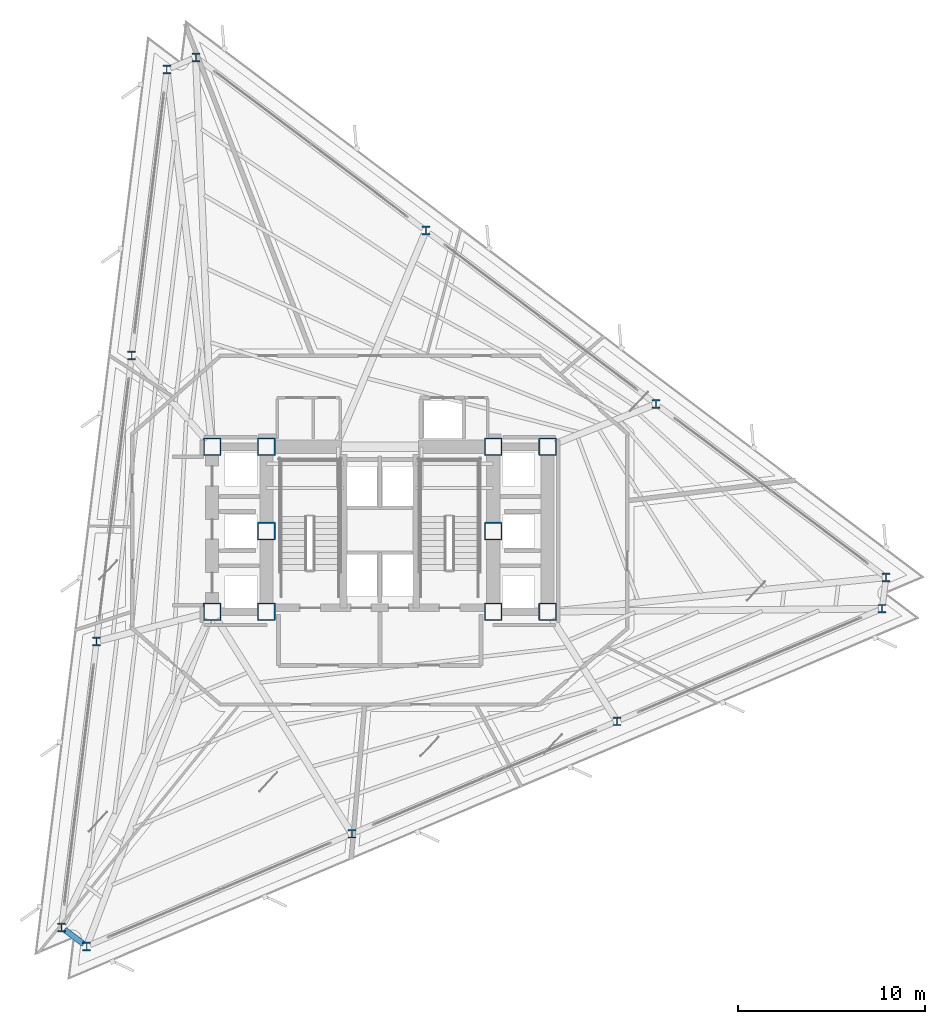
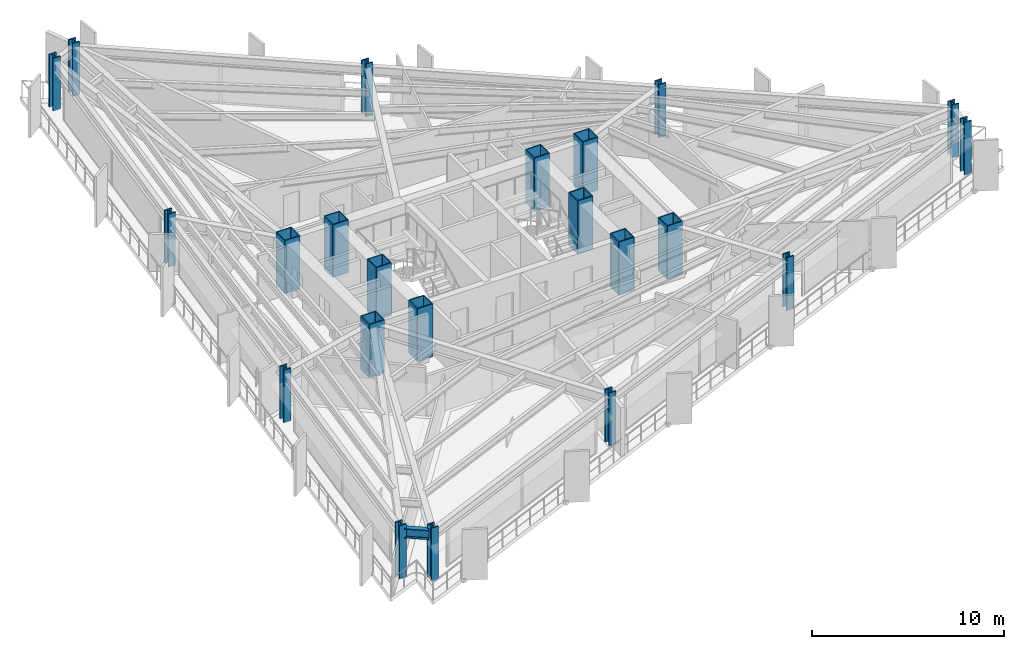
# One storey, part 1 of 13: 22 columns, 1 beam.
"""IFC4 building model written with IfcOpenShell, lengths in metres."""

from ifc_helpers import new_model, si_unit, direction, frame, origin, origin_2d, place, context, subcontext, project, spatial, hollow_rectangle, i_section, extrude, material, material_profile, profile_set, type_object, element, save


model = new_model("IFC4")

# Units and contexts
model_context = context("Model", 3, precision=1e-05, world=origin(), true_north=direction((0.0, 1.0)))
body_context = subcontext(model_context, "Body", "Model", "MODEL_VIEW")
ifc_project = project(units=[si_unit("LENGTHUNIT", "METRE"), si_unit("AREAUNIT", "SQUARE_METRE"), si_unit("VOLUMEUNIT", "CUBIC_METRE"), si_unit("PLANEANGLEUNIT", "RADIAN"), si_unit("MASSUNIT", "GRAM", prefix="KILO")], contexts=[model_context])

# Site, building, storey
site_placement = place(None, origin())
site = spatial("IfcSite", under=ifc_project, at=site_placement, CompositionType="ELEMENT")
building_placement = place(site_placement, origin())
building = spatial("IfcBuilding", under=site, at=building_placement, Name="Rocaltana Carrier Exchange", CompositionType="ELEMENT")
storey_placement = place(building_placement, frame((0.0, 0.0, 59.679931640625)))
storey = spatial("IfcBuildingStorey", under=building, at=storey_placement, Name="L18", CompositionType="ELEMENT", Elevation=59.679931640625)

# Columns
ifc_material_1 = material(Name="Steel S460", Category="steel")
ifc_material_profile_1 = material_profile(ifc_material_1, hollow_rectangle(XDim=0.949951171875, YDim=0.949951171875, WallThickness=0.06005859375, InnerFilletRadius=0.02001953125, OuterFilletRadius=0.0400390625, at=origin_2d()), Name="BOX950X950X60")
ifc_profile_set_1 = profile_set([ifc_material_profile_1], Name="Steel S460")
column_type_1 = type_object("IfcColumnType", Name="Core Mega-Column BOX950", PredefinedType="COLUMN", material=ifc_profile_set_1)
for number, where, z_axis, x_axis, name in (
    (1, (-6.050048828125, 4.5, 0.0), (0.0, 0.0, 1.0), (1.0, 0.0, 0.0), "L18 Core Mega-Column MC1"),
    (2, (6.050048828125, 4.5, 0.0), (0.0, 0.0, 1.0), (1.0, 0.0, 0.0), "L18 Core Mega-Column MC2"),
    (3, (-6.050048828125, 0.0, 0.0), (0.0, 0.0, 1.0), (1.0, 0.0, 0.0), "L18 Core Mega-Column MC3"),
    (4, (6.050048828125, 0.0, 0.0), (0.0, 0.0, 1.0), (1.0, 0.0, 0.0), "L18 Core Mega-Column MC4"),
    (5, (-6.050048828125, -4.300048828125, 0.0), (0.0, 0.0, 1.0), (1.0, 0.0, 0.0), "L18 Core Mega-Column MC5"),
    (6, (6.050048828125, -4.300048828125, 0.0), (0.0, 0.0, 1.0), (1.0, 0.0, 0.0), "L18 Core Mega-Column MC6"),
    (7, (-8.949951171875, 4.5, 0.0), (0.0, 0.0, 1.0), (1.0, 0.0, 0.0), "L18 West Core Column WC1"),
    (8, (-8.949951171875, -4.300048828125, 0.0), (0.0, 0.0, 1.0), (1.0, 0.0, 0.0), "L18 West Core Column WC2"),
    (9, (8.949951171875, 4.5, 0.0), (0.0, 0.0, 1.0), (1.0, 0.0, 0.0), "L18 East Core Column EC1"),
    (10, (8.949951171875, -4.300048828125, 0.0), (0.0, 0.0, 1.0), (1.0, 0.0, 0.0), "L18 East Core Column EC2"),
):
    element("IfcColumn", number, at=place(storey_placement, frame(where, z_axis=z_axis, x_axis=x_axis)), inside=storey, type_object=column_type_1, Name=name, PredefinedType="COLUMN", context=body_context, shape_type="SweptSolid", body=[
        extrude(hollow_rectangle(XDim=0.949951171875, YDim=0.949951171875, WallThickness=0.06005859375, InnerFilletRadius=0.02001953125, OuterFilletRadius=0.0400390625, at=origin_2d()), origin(), (0.0, 0.0, 1.0), 3.360107421875),
    ])
ifc_material_2 = material(Name="Steel S460", Category="steel")
ifc_material_profile_2 = material_profile(ifc_material_2, i_section(OverallWidth=0.424072265625, OverallDepth=0.47412109375, WebThickness=0.047607421875, FlangeThickness=0.0771484375, FilletRadius=0.02490234375, at=origin_2d()), Name="W14X426")
ifc_profile_set_2 = profile_set([ifc_material_profile_2], Name="Steel S460")
column_type_2 = type_object("IfcColumnType", Name="Perimeter Column W14X426", PredefinedType="COLUMN", material=ifc_profile_set_2)
for number, where, z_axis, x_axis, name in (
    (11, (27.0029296875, -2.466796875, 0.0), (0.0, 0.0, 1.0), (1.0, 0.0, 0.0), "L18 Perimeter Column TC01"),
    (12, (14.73046875, 6.781005859375, 0.0), (0.0, 0.0, 1.0), (1.0, 0.0, 0.0), "L18 Perimeter Column TC02"),
    (13, (2.458251953125, 16.029052734375, 0.0), (0.0, 0.0, 1.0), (1.0, 0.0, 0.0), "L18 Perimeter Column TC03"),
    (14, (-9.814208984375, 25.27685546875, 0.0), (0.0, 0.0, 1.0), (1.0, 0.0, 0.0), "L18 Perimeter Column TC04"),
    (15, (-11.365234375, 24.61865234375, 0.0), (0.0, 0.0, 1.0), (1.0, 0.0, 0.0), "L18 Perimeter Column TC05"),
    (16, (-13.23779296875, 9.366455078125, 0.0), (0.0, 0.0, 1.0), (1.0, 0.0, 0.0), "L18 Perimeter Column TC06"),
    (17, (-15.110595703125, -5.8857421875, 0.0), (0.0, 0.0, 1.0), (1.0, 0.0, 0.0), "L18 Perimeter Column TC07"),
    (18, (-16.9833984375, -21.1376953125, 0.0), (0.0, 0.0, 1.0), (1.0, 0.0, 0.0), "L18 Perimeter Column TC08"),
    (19, (-15.6376953125, -22.15185546875, 0.0), (0.0, 0.0, 1.0), (1.0, 0.0, 0.0), "L18 Perimeter Column TC09"),
    (20, (-1.49267578125, -16.147705078125, 0.0), (0.0, 0.0, 1.0), (1.0, 0.0, 0.0), "L18 Perimeter Column TC10"),
    (21, (12.652587890625, -10.143310546875, 0.0), (0.0, 0.0, 1.0), (1.0, 0.0, 0.0), "L18 Perimeter Column TC11"),
    (22, (26.797607421875, -4.13916015625, 0.0), (0.0, 0.0, 1.0), (1.0, 0.0, 0.0), "L18 Perimeter Column TC12"),
):
    element("IfcColumn", number, at=place(storey_placement, frame(where, z_axis=z_axis, x_axis=x_axis)), inside=storey, type_object=column_type_2, Name=name, PredefinedType="COLUMN", context=body_context, shape_type="SweptSolid", body=[
        extrude(i_section(OverallWidth=0.424072265625, OverallDepth=0.47412109375, WebThickness=0.047607421875, FlangeThickness=0.0771484375, FilletRadius=0.02490234375, at=origin_2d()), origin(), (0.0, 0.0, 1.0), 3.360107421875),
    ])

# Beam
ifc_material_3 = material(Name="Steel S355", Category="steel")
ifc_material_profile_3 = material_profile(ifc_material_3, i_section(OverallWidth=0.300048828125, OverallDepth=0.60009765625, WebThickness=0.015380859375, FlangeThickness=0.030029296875, FilletRadius=0.027099609375, at=origin_2d()), Name="HEB600")
ifc_profile_set_3 = profile_set([ifc_material_profile_3], Name="Steel S355")
beam_type = type_object("IfcBeamType", Name="Spandrel Edge Beam HEB600", PredefinedType="SPANDREL", material=ifc_profile_set_3)
beam_placement = place(storey_placement, frame((-16.820556640625, -21.260498046875, 2.798095703125), z_axis=(0.798667557752, -0.601772492055, 0.0), x_axis=(0.601772492055, 0.798667557752, 0.0)))
element("IfcBeam", 23, at=beam_placement, inside=storey, type_object=beam_type, Name="SP-L18-08", PredefinedType="SPANDREL", context=body_context, shape_type="SweptSolid", body=[
    extrude(i_section(OverallWidth=0.300048828125, OverallDepth=0.60009765625, WebThickness=0.015380859375, FlangeThickness=0.030029296875, FilletRadius=0.027099609375, at=origin_2d()), origin(), (0.0, 0.0, 1.0), 1.277099609375),
])

save(model, "model.ifc")
